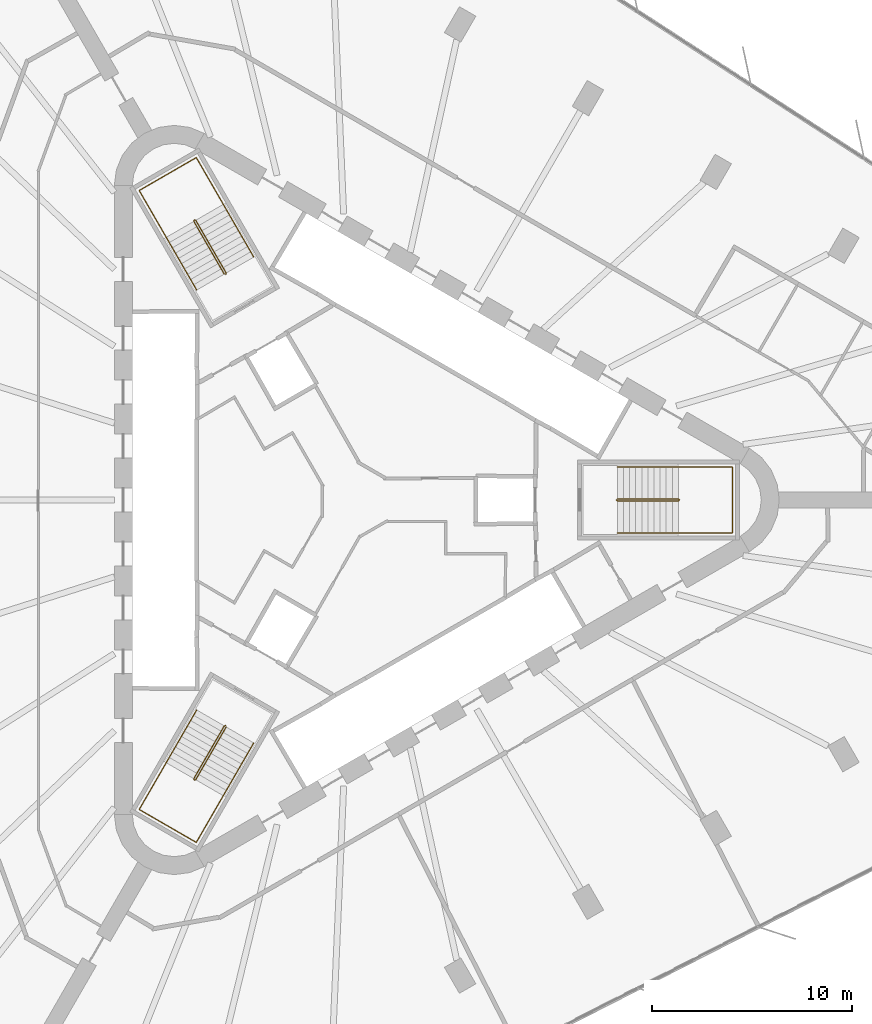
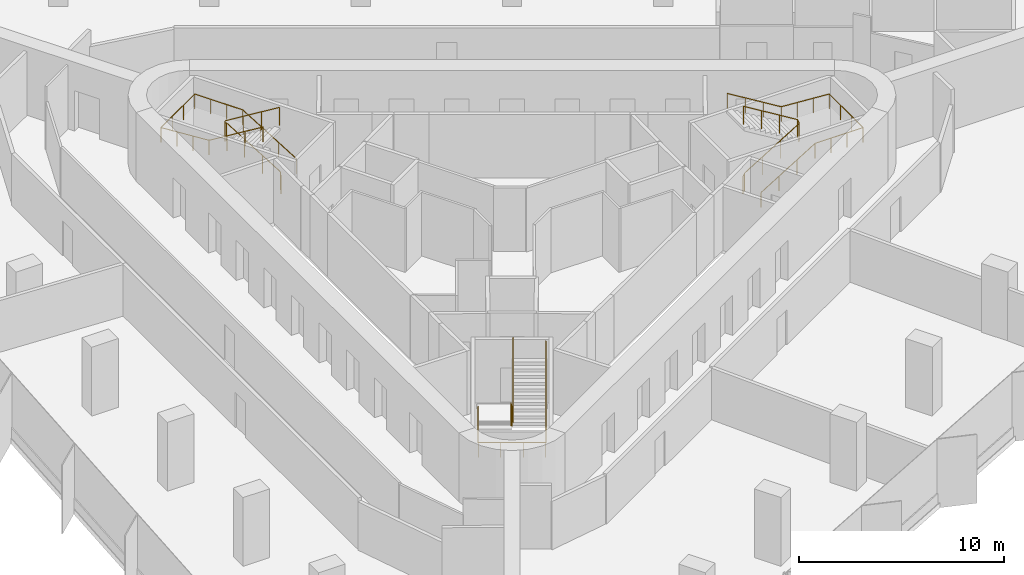
# One storey, part 14 of 14: 6 railings.
"""IFC4 building model written with IfcOpenShell, lengths in metres."""

from ifc_helpers import new_model, si_unit, direction, frame, origin, origin_2d, place, context, subcontext, project, spatial, circle, extrude, material, type_object, element, save


model = new_model("IFC4")

# Units and contexts
model_context = context("Model", 3, precision=1e-05, world=origin(), true_north=direction((0.0, 1.0)))
body_context = subcontext(model_context, "Body", "Model", "MODEL_VIEW")
ifc_project = project(units=[si_unit("LENGTHUNIT", "METRE"), si_unit("AREAUNIT", "SQUARE_METRE"), si_unit("VOLUMEUNIT", "CUBIC_METRE"), si_unit("PLANEANGLEUNIT", "RADIAN"), si_unit("MASSUNIT", "GRAM", prefix="KILO")], contexts=[model_context])

# Site, building, storey
site_placement = place(None, origin())
site = spatial("IfcSite", under=ifc_project, at=site_placement, CompositionType="ELEMENT")
building_placement = place(site_placement, origin())
building = spatial("IfcBuilding", under=site, at=building_placement, Name="Tanit Gate Tower", CompositionType="ELEMENT")
storey_placement = place(building_placement, frame((0.0, 0.0, 78.300048828125)))
storey = spatial("IfcBuildingStorey", under=building, at=storey_placement, Name="L15", CompositionType="ELEMENT", Elevation=78.300048828125)

# Railings
ifc_material_1 = material(Name="Stainless steel balustrade", Category="steel")
railing_type_1 = type_object("IfcRailingType", Name="INT-STAIR-GUARD", PredefinedType="GUARDRAIL", material=ifc_material_1)
railing_1_placement = place(storey_placement, frame((13.044921875, 0.0048828125, 0.0)))
element("IfcRailing", 1, at=railing_1_placement, inside=storey, type_object=railing_type_1, Name="L15 S1 stair guard 1", PredefinedType="GUARDRAIL", context=body_context, shape_type="SweptSolid", body=[
    extrude(circle(Radius=0.02392578125, at=origin_2d()), frame((0.0, 0.0, 1.076171875), z_axis=(0.0, -1.0, 0.0), x_axis=(1.0, 0.0, 0.0)), (0.0, 0.0, 1.0), 0.009765625),
    extrude(circle(Radius=0.02392578125, at=origin_2d()), frame((0.0, -0.009765625, 1.076171875), z_axis=(0.251157038772, -0.251157038772, 0.934794246747), x_axis=(0.707106781187, 0.707106781187, 0.0)), (0.0, 0.0, 1.0), 0.19921875),
    extrude(circle(Radius=0.02392578125, at=origin_2d()), frame((0.050048828125, -0.059814453125, 1.26220703125), z_axis=(0.853374658889, 0.0, 0.521298083217), x_axis=(0.0, 1.0, 0.0)), (0.0, 0.0, 1.0), 3.5751953125),
    extrude(circle(Radius=0.02392578125, at=origin_2d()), frame((3.10107421875, -0.059814453125, 3.1259765625), z_axis=(0.707106781187, 0.707106781187, 0.0), x_axis=(-0.707106781187, 0.707106781187, 0.0)), (0.0, 0.0, 1.0), 0.07080078125),
    extrude(circle(Radius=0.02392578125, at=origin_2d()), frame((3.151123046875, -0.009765625, 3.1259765625), z_axis=(0.0, 1.0, 0.0), x_axis=(-1.0, 0.0, 0.0)), (0.0, 0.0, 1.0), 0.009765625),
    extrude(circle(Radius=0.02392578125, at=origin_2d()), frame((3.151123046875, 0.0, 3.1259765625), z_axis=(-0.251157038772, 0.251157038772, 0.934794246747), x_axis=(-0.707106781187, -0.707106781187, 0.0)), (0.0, 0.0, 1.0), 0.19921875),
    extrude(circle(Radius=0.02392578125, at=origin_2d()), frame((3.10107421875, 0.050048828125, 3.3125), z_axis=(-0.853405036568, 0.0, 0.521248351134), x_axis=(0.0, -1.0, 0.0)), (0.0, 0.0, 1.0), 3.5751953125),
    extrude(circle(Radius=0.02099609375, at=origin_2d()), origin(), (0.0, 0.0, 1.0), 1.052001953125),
    extrude(circle(Radius=0.02099609375, at=origin_2d()), frame((0.0, -0.009765625, 0.0)), (0.0, 0.0, 1.0), 1.052001953125),
    extrude(circle(Radius=0.02099609375, at=origin_2d()), frame((0.050048828125, -0.059814453125, 0.186279296875)), (0.0, 0.0, 1.0), 1.052001953125),
    extrude(circle(Radius=0.02099609375, at=origin_2d()), frame((1.067138671875, -0.059814453125, 0.8076171875)), (0.0, 0.0, 1.0), 1.052001953125),
    extrude(circle(Radius=0.02099609375, at=origin_2d()), frame((2.083984375, -0.059814453125, 1.4287109375)), (0.0, 0.0, 1.0), 1.052001953125),
    extrude(circle(Radius=0.02099609375, at=origin_2d()), frame((3.10107421875, -0.059814453125, 2.050048828125)), (0.0, 0.0, 1.0), 1.052001953125),
    extrude(circle(Radius=0.02099609375, at=origin_2d()), frame((3.151123046875, -0.009765625, 2.050048828125)), (0.0, 0.0, 1.0), 1.052001953125),
    extrude(circle(Radius=0.02099609375, at=origin_2d()), frame((3.151123046875, 0.0, 2.050048828125)), (0.0, 0.0, 1.0), 1.052001953125),
    extrude(circle(Radius=0.02099609375, at=origin_2d()), frame((3.10107421875, 0.050048828125, 2.236328125)), (0.0, 0.0, 1.0), 1.052001953125),
    extrude(circle(Radius=0.02099609375, at=origin_2d()), frame((2.083984375, 0.050048828125, 2.857421875)), (0.0, 0.0, 1.0), 1.052001953125),
    extrude(circle(Radius=0.02099609375, at=origin_2d()), frame((1.067138671875, 0.050048828125, 3.478759765625)), (0.0, 0.0, 1.0), 1.052001953125),
    extrude(circle(Radius=0.02099609375, at=origin_2d()), frame((0.050048828125, 0.050048828125, 4.099853515625)), (0.0, 0.0, 1.0), 1.052001953125),
])
railing_2_placement = place(storey_placement, frame((-6.527099609375, 11.29345703125, 0.0)))
element("IfcRailing", 2, at=railing_2_placement, inside=storey, type_object=railing_type_1, Name="L15 S2 stair guard 1", PredefinedType="GUARDRAIL", context=body_context, shape_type="SweptSolid", body=[
    extrude(circle(Radius=0.02392578125, at=origin_2d()), frame((0.0, 0.0, 1.076171875), z_axis=(0.868243142124, 0.496138938357, 0.0), x_axis=(-0.496138938357, 0.868243142124, 0.0)), (0.0, 0.0, 1.0), 0.01171875),
    extrude(circle(Radius=0.02392578125, at=origin_2d()), frame((0.01025390625, 0.005859375, 1.076171875), z_axis=(0.091888445584, 0.343050196848, 0.93481178641), x_axis=(-0.965948051503, 0.258736085224, 0.0)), (0.0, 0.0, 1.0), 0.19921875),
    extrude(circle(Radius=0.02392578125, at=origin_2d()), frame((0.028564453125, 0.07421875, 1.26220703125), z_axis=(-0.426636495959, 0.738911183393, 0.521528104107), x_axis=(-0.866012246495, -0.500022788402, 0.0)), (0.0, 0.0, 1.0), 3.57373046875),
    extrude(circle(Radius=0.02392578125, at=origin_2d()), frame((-1.49609375, 2.71484375, 3.1259765625), z_axis=(-0.965715946433, 0.259601060869, 0.0), x_axis=(-0.259601060869, -0.965715946433, 0.0)), (0.0, 0.0, 1.0), 0.070556640625),
    extrude(circle(Radius=0.02392578125, at=origin_2d()), frame((-1.564208984375, 2.733154296875, 3.1259765625), z_axis=(-0.873197702015, -0.487366159264, 0.0), x_axis=(0.487366159264, -0.873197702015, 0.0)), (0.0, 0.0, 1.0), 0.011962890625),
    extrude(circle(Radius=0.02392578125, at=origin_2d()), frame((-1.57470703125, 2.727294921875, 3.1259765625), z_axis=(-0.091888445584, -0.343050196848, 0.93481178641), x_axis=(0.965948051503, -0.258736085224, 0.0)), (0.0, 0.0, 1.0), 0.19921875),
    extrude(circle(Radius=0.02392578125, at=origin_2d()), frame((-1.593017578125, 2.658935546875, 3.3125), z_axis=(0.426651696395, -0.73893750972, 0.521478366466), x_axis=(0.866012246495, 0.500022788402, 0.0)), (0.0, 0.0, 1.0), 3.573486328125),
    extrude(circle(Radius=0.02099609375, at=origin_2d()), origin(), (0.0, 0.0, 1.0), 1.052001953125),
    extrude(circle(Radius=0.02099609375, at=origin_2d()), frame((0.01025390625, 0.005859375, 0.0)), (0.0, 0.0, 1.0), 1.052001953125),
    extrude(circle(Radius=0.02099609375, at=origin_2d()), frame((0.028564453125, 0.07421875, 0.186279296875)), (0.0, 0.0, 1.0), 1.052001953125),
    extrude(circle(Radius=0.02099609375, at=origin_2d()), frame((-0.479736328125, 0.954345703125, 0.8076171875)), (0.0, 0.0, 1.0), 1.052001953125),
    extrude(circle(Radius=0.02099609375, at=origin_2d()), frame((-0.98779296875, 1.834716796875, 1.4287109375)), (0.0, 0.0, 1.0), 1.052001953125),
    extrude(circle(Radius=0.02099609375, at=origin_2d()), frame((-1.49609375, 2.71484375, 2.050048828125)), (0.0, 0.0, 1.0), 1.052001953125),
    extrude(circle(Radius=0.02099609375, at=origin_2d()), frame((-1.564208984375, 2.733154296875, 2.050048828125)), (0.0, 0.0, 1.0), 1.052001953125),
    extrude(circle(Radius=0.02099609375, at=origin_2d()), frame((-1.57470703125, 2.727294921875, 2.050048828125)), (0.0, 0.0, 1.0), 1.052001953125),
    extrude(circle(Radius=0.02099609375, at=origin_2d()), frame((-1.593017578125, 2.658935546875, 2.236328125)), (0.0, 0.0, 1.0), 1.052001953125),
    extrude(circle(Radius=0.02099609375, at=origin_2d()), frame((-1.084716796875, 1.77880859375, 2.857421875)), (0.0, 0.0, 1.0), 1.052001953125),
    extrude(circle(Radius=0.02099609375, at=origin_2d()), frame((-0.57666015625, 0.8984375, 3.478759765625)), (0.0, 0.0, 1.0), 1.052001953125),
    extrude(circle(Radius=0.02099609375, at=origin_2d()), frame((-0.068359375, 0.018310546875, 4.099853515625)), (0.0, 0.0, 1.0), 1.052001953125),
])
railing_3_placement = place(storey_placement, frame((-6.51806640625, -11.2998046875, 0.0)))
element("IfcRailing", 3, at=railing_3_placement, inside=storey, type_object=railing_type_1, Name="L15 S3 stair guard 1", PredefinedType="GUARDRAIL", context=body_context, shape_type="SweptSolid", body=[
    extrude(circle(Radius=0.02392578125, at=origin_2d()), frame((0.0, 0.0, 1.076171875), z_axis=(-0.874157276122, 0.485642931179, 0.0), x_axis=(-0.485642931179, -0.874157276122, 0.0)), (0.0, 0.0, 1.0), 0.010009765625),
    extrude(circle(Radius=0.02392578125, at=origin_2d()), frame((-0.0087890625, 0.0048828125, 1.076171875), z_axis=(-0.343088566343, -0.090673406819, 0.934916343285), x_axis=(0.255512919477, -0.966805641264, 0.0)), (0.0, 0.0, 1.0), 0.19921875),
    extrude(circle(Radius=0.02392578125, at=origin_2d()), frame((-0.0771484375, -0.01318359375, 1.26220703125), z_axis=(-0.42665336134, -0.739063593114, 0.52129829713), x_axis=(0.866048339477, -0.499960272111, 0.0)), (0.0, 0.0, 1.0), 3.5751953125),
    extrude(circle(Radius=0.02392578125, at=origin_2d()), frame((-1.6025390625, -2.655517578125, 3.1259765625), z_axis=(0.258736085224, -0.965948051503, 0.0), x_axis=(0.965948051503, 0.258736085224, 0.0)), (0.0, 0.0, 1.0), 0.07080078125),
    extrude(circle(Radius=0.02392578125, at=origin_2d()), frame((-1.584228515625, -2.723876953125, 3.1259765625), z_axis=(0.868243142124, -0.496138938357, 0.0), x_axis=(0.496138938357, 0.868243142124, 0.0)), (0.0, 0.0, 1.0), 0.009765625),
    extrude(circle(Radius=0.02392578125, at=origin_2d()), frame((-1.57568359375, -2.728759765625, 3.1259765625), z_axis=(0.343050196848, 0.091888445584, 0.93481178641), x_axis=(-0.258736085224, 0.965948051503, 0.0)), (0.0, 0.0, 1.0), 0.19921875),
    extrude(circle(Radius=0.02392578125, at=origin_2d()), frame((-1.50732421875, -2.71044921875, 3.3125), z_axis=(0.426745940485, 0.73903737685, 0.521259683745), x_axis=(-0.865993683553, 0.500054937028, 0.0)), (0.0, 0.0, 1.0), 3.574951171875),
    extrude(circle(Radius=0.02099609375, at=origin_2d()), origin(), (0.0, 0.0, 1.0), 1.052001953125),
    extrude(circle(Radius=0.02099609375, at=origin_2d()), frame((-0.0087890625, 0.0048828125, 0.0)), (0.0, 0.0, 1.0), 1.052001953125),
    extrude(circle(Radius=0.02099609375, at=origin_2d()), frame((-0.0771484375, -0.01318359375, 0.186279296875)), (0.0, 0.0, 1.0), 1.052001953125),
    extrude(circle(Radius=0.02099609375, at=origin_2d()), frame((-0.585693359375, -0.89404296875, 0.8076171875)), (0.0, 0.0, 1.0), 1.052001953125),
    extrude(circle(Radius=0.02099609375, at=origin_2d()), frame((-1.093994140625, -1.774658203125, 1.4287109375)), (0.0, 0.0, 1.0), 1.052001953125),
    extrude(circle(Radius=0.02099609375, at=origin_2d()), frame((-1.6025390625, -2.655517578125, 2.050048828125)), (0.0, 0.0, 1.0), 1.052001953125),
    extrude(circle(Radius=0.02099609375, at=origin_2d()), frame((-1.584228515625, -2.723876953125, 2.050048828125)), (0.0, 0.0, 1.0), 1.052001953125),
    extrude(circle(Radius=0.02099609375, at=origin_2d()), frame((-1.57568359375, -2.728759765625, 2.050048828125)), (0.0, 0.0, 1.0), 1.052001953125),
    extrude(circle(Radius=0.02099609375, at=origin_2d()), frame((-1.50732421875, -2.71044921875, 2.236328125)), (0.0, 0.0, 1.0), 1.052001953125),
    extrude(circle(Radius=0.02099609375, at=origin_2d()), frame((-0.998779296875, -1.829833984375, 2.857421875)), (0.0, 0.0, 1.0), 1.052001953125),
    extrude(circle(Radius=0.02099609375, at=origin_2d()), frame((-0.490234375, -0.948974609375, 3.478759765625)), (0.0, 0.0, 1.0), 1.052001953125),
    extrude(circle(Radius=0.02099609375, at=origin_2d()), frame((0.018310546875, -0.068359375, 4.099853515625)), (0.0, 0.0, 1.0), 1.052001953125),
])
ifc_material_2 = material(Name="Stainless steel handrail", Category="steel")
railing_type_2 = type_object("IfcRailingType", Name="INT-STAIR-HANDRAIL", PredefinedType="HANDRAIL", material=ifc_material_2)
railing_4_placement = place(storey_placement, frame((13.094970703125, -1.64990234375, 0.186279296875)))
element("IfcRailing", 4, at=railing_4_placement, inside=storey, type_object=railing_type_2, Name="L15 S1 stair handrail 1", PredefinedType="HANDRAIL", context=body_context, shape_type="SweptSolid", body=[
    extrude(circle(Radius=0.02392578125, at=origin_2d()), frame((0.0, 0.0, 0.8759765625), z_axis=(0.853374658889, 0.0, 0.521298083217), x_axis=(0.0, 1.0, 0.0)), (0.0, 0.0, 1.0), 3.5751953125),
    extrude(circle(Radius=0.02392578125, at=origin_2d()), frame((3.051025390625, 0.0, 2.73974609375), z_axis=(1.0, 0.0, 0.0), x_axis=(0.0, 1.0, 0.0)), (0.0, 0.0, 1.0), 2.7041015625),
    extrude(circle(Radius=0.02392578125, at=origin_2d()), frame((5.755126953125, 0.0, 2.73974609375), z_axis=(0.0, 1.0, 0.0), x_axis=(-1.0, 0.0, 0.0)), (0.0, 0.0, 1.0), 3.2998046875),
    extrude(circle(Radius=0.02392578125, at=origin_2d()), frame((5.755126953125, 3.2998046875, 2.73974609375), z_axis=(-0.997635655124, 0.0, 0.06872481084), x_axis=(0.0, -1.0, 0.0)), (0.0, 0.0, 1.0), 2.71044921875),
    extrude(circle(Radius=0.02392578125, at=origin_2d()), frame((3.051025390625, 3.2998046875, 2.92578125), z_axis=(-0.853405036568, 0.0, 0.521248351134), x_axis=(0.0, -1.0, 0.0)), (0.0, 0.0, 1.0), 3.5751953125),
    extrude(circle(Radius=0.02099609375, at=origin_2d()), origin(), (0.0, 0.0, 1.0), 0.851806640625),
    extrude(circle(Radius=0.02099609375, at=origin_2d()), frame((1.01708984375, 0.0, 0.621337890625)), (0.0, 0.0, 1.0), 0.851806640625),
    extrude(circle(Radius=0.02099609375, at=origin_2d()), frame((2.033935546875, 0.0, 1.242431640625)), (0.0, 0.0, 1.0), 0.851806640625),
    extrude(circle(Radius=0.02099609375, at=origin_2d()), frame((3.051025390625, 0.0, 1.86376953125)), (0.0, 0.0, 1.0), 0.851806640625),
    extrude(circle(Radius=0.02099609375, at=origin_2d()), frame((3.952392578125, 0.0, 1.86376953125)), (0.0, 0.0, 1.0), 0.851806640625),
    extrude(circle(Radius=0.02099609375, at=origin_2d()), frame((4.853759765625, 0.0, 1.86376953125)), (0.0, 0.0, 1.0), 0.851806640625),
    extrude(circle(Radius=0.02099609375, at=origin_2d()), frame((5.755126953125, 0.0, 1.86376953125)), (0.0, 0.0, 1.0), 0.851806640625),
    extrude(circle(Radius=0.02099609375, at=origin_2d()), frame((5.755126953125, 1.099853515625, 1.86376953125)), (0.0, 0.0, 1.0), 0.851806640625),
    extrude(circle(Radius=0.02099609375, at=origin_2d()), frame((5.755126953125, 2.199951171875, 1.86376953125)), (0.0, 0.0, 1.0), 0.851806640625),
    extrude(circle(Radius=0.02099609375, at=origin_2d()), frame((5.755126953125, 3.2998046875, 1.86376953125)), (0.0, 0.0, 1.0), 0.851806640625),
    extrude(circle(Radius=0.02099609375, at=origin_2d()), frame((4.853759765625, 3.2998046875, 1.92578125)), (0.0, 0.0, 1.0), 0.851806640625),
    extrude(circle(Radius=0.02099609375, at=origin_2d()), frame((3.952392578125, 3.2998046875, 1.988037109375)), (0.0, 0.0, 1.0), 0.851806640625),
    extrude(circle(Radius=0.02099609375, at=origin_2d()), frame((3.051025390625, 3.2998046875, 2.050048828125)), (0.0, 0.0, 1.0), 0.851806640625),
    extrude(circle(Radius=0.02099609375, at=origin_2d()), frame((2.033935546875, 3.2998046875, 2.671142578125)), (0.0, 0.0, 1.0), 0.851806640625),
    extrude(circle(Radius=0.02099609375, at=origin_2d()), frame((1.01708984375, 3.2998046875, 3.29248046875)), (0.0, 0.0, 1.0), 0.851806640625),
    extrude(circle(Radius=0.02099609375, at=origin_2d()), frame((0.0, 3.2998046875, 3.91357421875)), (0.0, 0.0, 1.0), 0.851806640625),
])
railing_5_placement = place(storey_placement, frame((-5.1181640625, 12.164794921875, 0.186279296875)))
element("IfcRailing", 5, at=railing_5_placement, inside=storey, type_object=railing_type_2, Name="L15 S2 stair handrail 1", PredefinedType="HANDRAIL", context=body_context, shape_type="SweptSolid", body=[
    extrude(circle(Radius=0.02392578125, at=origin_2d()), frame((0.0, 0.0, 0.8759765625), z_axis=(-0.426580611902, 0.738932719144, 0.521543304174), x_axis=(-0.866046917185, -0.499962735845, 0.0)), (0.0, 0.0, 1.0), 3.573486328125),
    extrude(circle(Radius=0.02392578125, at=origin_2d()), frame((-1.5244140625, 2.640625, 2.73974609375), z_axis=(-0.500019123664, 0.86601436245, 0.0), x_axis=(-0.86601436245, -0.500019123664, 0.0)), (0.0, 0.0, 1.0), 2.70703125),
    extrude(circle(Radius=0.02392578125, at=origin_2d()), frame((-2.8779296875, 4.98486328125, 2.73974609375), z_axis=(-0.866008176907, -0.50002983664, 0.0), x_axis=(0.50002983664, -0.866008176907, 0.0)), (0.0, 0.0, 1.0), 3.300048828125),
    extrude(circle(Radius=0.02392578125, at=origin_2d()), frame((-5.73583984375, 3.334716796875, 2.73974609375), z_axis=(0.498878146149, -0.863948246966, 0.06865873476), x_axis=(0.865991810323, 0.500058181068, 0.0)), (0.0, 0.0, 1.0), 2.713134765625),
    extrude(circle(Radius=0.02392578125, at=origin_2d()), frame((-4.38232421875, 0.99072265625, 2.92578125), z_axis=(0.426630158194, -0.738968522208, 0.521452041232), x_axis=(0.866032263162, 0.499988119021, 0.0)), (0.0, 0.0, 1.0), 3.57373046875),
    extrude(circle(Radius=0.02099609375, at=origin_2d()), origin(), (0.0, 0.0, 1.0), 0.851806640625),
    extrude(circle(Radius=0.02099609375, at=origin_2d()), frame((-0.508056640625, 0.880126953125, 0.621337890625)), (0.0, 0.0, 1.0), 0.851806640625),
    extrude(circle(Radius=0.02099609375, at=origin_2d()), frame((-1.016357421875, 1.760498046875, 1.242431640625)), (0.0, 0.0, 1.0), 0.851806640625),
    extrude(circle(Radius=0.02099609375, at=origin_2d()), frame((-1.5244140625, 2.640625, 1.86376953125)), (0.0, 0.0, 1.0), 0.851806640625),
    extrude(circle(Radius=0.02099609375, at=origin_2d()), frame((-1.9755859375, 3.422119140625, 1.86376953125)), (0.0, 0.0, 1.0), 0.851806640625),
    extrude(circle(Radius=0.02099609375, at=origin_2d()), frame((-2.4267578125, 4.203369140625, 1.86376953125)), (0.0, 0.0, 1.0), 0.851806640625),
    extrude(circle(Radius=0.02099609375, at=origin_2d()), frame((-2.8779296875, 4.98486328125, 1.86376953125)), (0.0, 0.0, 1.0), 0.851806640625),
    extrude(circle(Radius=0.02099609375, at=origin_2d()), frame((-3.83056640625, 4.434814453125, 1.86376953125)), (0.0, 0.0, 1.0), 0.851806640625),
    extrude(circle(Radius=0.02099609375, at=origin_2d()), frame((-4.783203125, 3.884765625, 1.86376953125)), (0.0, 0.0, 1.0), 0.851806640625),
    extrude(circle(Radius=0.02099609375, at=origin_2d()), frame((-5.73583984375, 3.334716796875, 1.86376953125)), (0.0, 0.0, 1.0), 0.851806640625),
    extrude(circle(Radius=0.02099609375, at=origin_2d()), frame((-5.28466796875, 2.553466796875, 1.92578125)), (0.0, 0.0, 1.0), 0.851806640625),
    extrude(circle(Radius=0.02099609375, at=origin_2d()), frame((-4.83349609375, 1.77197265625, 1.988037109375)), (0.0, 0.0, 1.0), 0.851806640625),
    extrude(circle(Radius=0.02099609375, at=origin_2d()), frame((-4.38232421875, 0.99072265625, 2.050048828125)), (0.0, 0.0, 1.0), 0.851806640625),
    extrude(circle(Radius=0.02099609375, at=origin_2d()), frame((-3.8740234375, 0.1103515625, 2.671142578125)), (0.0, 0.0, 1.0), 0.851806640625),
    extrude(circle(Radius=0.02099609375, at=origin_2d()), frame((-3.365966796875, -0.769775390625, 3.29248046875)), (0.0, 0.0, 1.0), 0.851806640625),
    extrude(circle(Radius=0.02099609375, at=origin_2d()), frame((-2.857666015625, -1.650146484375, 3.91357421875)), (0.0, 0.0, 1.0), 0.851806640625),
])
railing_6_placement = place(storey_placement, frame((-7.9765625, -10.515625, 0.186279296875)))
element("IfcRailing", 6, at=railing_6_placement, inside=storey, type_object=railing_type_2, Name="L15 S3 stair handrail 1", PredefinedType="HANDRAIL", context=body_context, shape_type="SweptSolid", body=[
    extrude(circle(Radius=0.02392578125, at=origin_2d()), frame((0.0, 0.0, 0.8759765625), z_axis=(-0.42665336134, -0.739063593114, 0.52129829713), x_axis=(0.866048339477, -0.499960272111, 0.0)), (0.0, 0.0, 1.0), 3.5751953125),
    extrude(circle(Radius=0.02392578125, at=origin_2d()), frame((-1.525390625, -2.642333984375, 2.73974609375), z_axis=(-0.50004290449, -0.866000631449, 0.0), x_axis=(0.866000631449, -0.50004290449, 0.0)), (0.0, 0.0, 1.0), 2.703857421875),
    extrude(circle(Radius=0.02392578125, at=origin_2d()), frame((-2.87744140625, -4.98388671875, 2.73974609375), z_axis=(0.866008176907, -0.50002983664, 0.0), x_axis=(0.50002983664, 0.866008176907, 0.0)), (0.0, 0.0, 1.0), 3.300048828125),
    extrude(circle(Radius=0.02392578125, at=origin_2d()), frame((-0.01953125, -6.634033203125, 2.73974609375), z_axis=(0.498821607388, 0.86397559734, 0.068725331607), x_axis=(-0.866023205937, 0.500003806764, 0.0)), (0.0, 0.0, 1.0), 2.71044921875),
    extrude(circle(Radius=0.02392578125, at=origin_2d()), frame((1.33251953125, -4.292236328125, 2.92578125), z_axis=(0.426668548982, 0.73908990167, 0.521248565042), x_axis=(-0.866048339477, 0.499960272111, 0.0)), (0.0, 0.0, 1.0), 3.5751953125),
    extrude(circle(Radius=0.02099609375, at=origin_2d()), origin(), (0.0, 0.0, 1.0), 0.851806640625),
    extrude(circle(Radius=0.02099609375, at=origin_2d()), frame((-0.508544921875, -0.880859375, 0.621337890625)), (0.0, 0.0, 1.0), 0.851806640625),
    extrude(circle(Radius=0.02099609375, at=origin_2d()), frame((-1.016845703125, -1.761474609375, 1.242431640625)), (0.0, 0.0, 1.0), 0.851806640625),
    extrude(circle(Radius=0.02099609375, at=origin_2d()), frame((-1.525390625, -2.642333984375, 1.86376953125)), (0.0, 0.0, 1.0), 0.851806640625),
    extrude(circle(Radius=0.02099609375, at=origin_2d()), frame((-1.97607421875, -3.4228515625, 1.86376953125)), (0.0, 0.0, 1.0), 0.851806640625),
    extrude(circle(Radius=0.02099609375, at=origin_2d()), frame((-2.4267578125, -4.203369140625, 1.86376953125)), (0.0, 0.0, 1.0), 0.851806640625),
    extrude(circle(Radius=0.02099609375, at=origin_2d()), frame((-2.87744140625, -4.98388671875, 1.86376953125)), (0.0, 0.0, 1.0), 0.851806640625),
    extrude(circle(Radius=0.02099609375, at=origin_2d()), frame((-1.9248046875, -5.533935546875, 1.86376953125)), (0.0, 0.0, 1.0), 0.851806640625),
    extrude(circle(Radius=0.02099609375, at=origin_2d()), frame((-0.97216796875, -6.083984375, 1.86376953125)), (0.0, 0.0, 1.0), 0.851806640625),
    extrude(circle(Radius=0.02099609375, at=origin_2d()), frame((-0.01953125, -6.634033203125, 1.86376953125)), (0.0, 0.0, 1.0), 0.851806640625),
    extrude(circle(Radius=0.02099609375, at=origin_2d()), frame((0.43115234375, -5.853515625, 1.92578125)), (0.0, 0.0, 1.0), 0.851806640625),
    extrude(circle(Radius=0.02099609375, at=origin_2d()), frame((0.8818359375, -5.07275390625, 1.988037109375)), (0.0, 0.0, 1.0), 0.851806640625),
    extrude(circle(Radius=0.02099609375, at=origin_2d()), frame((1.33251953125, -4.292236328125, 2.050048828125)), (0.0, 0.0, 1.0), 0.851806640625),
    extrude(circle(Radius=0.02099609375, at=origin_2d()), frame((1.841064453125, -3.411376953125, 2.671142578125)), (0.0, 0.0, 1.0), 0.851806640625),
    extrude(circle(Radius=0.02099609375, at=origin_2d()), frame((2.349365234375, -2.53076171875, 3.29248046875)), (0.0, 0.0, 1.0), 0.851806640625),
    extrude(circle(Radius=0.02099609375, at=origin_2d()), frame((2.85791015625, -1.64990234375, 3.91357421875)), (0.0, 0.0, 1.0), 0.851806640625),
])

save(model, "model.ifc")
